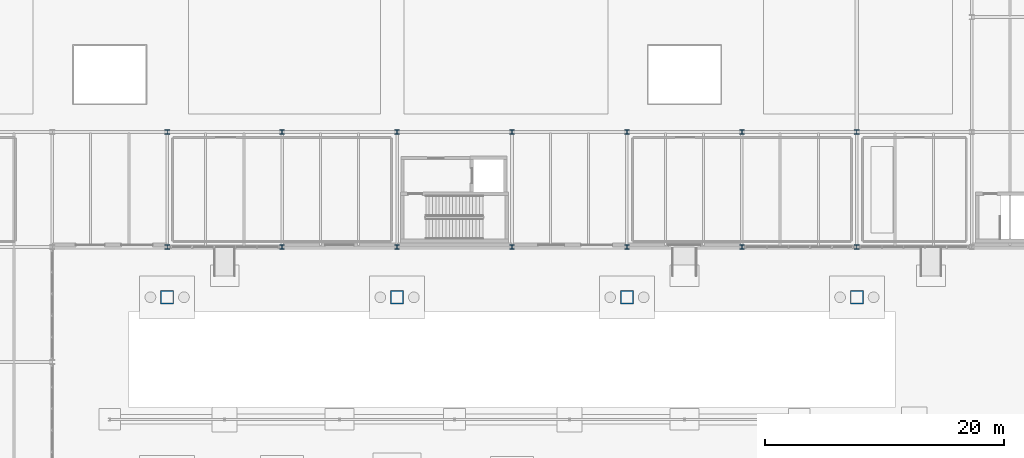
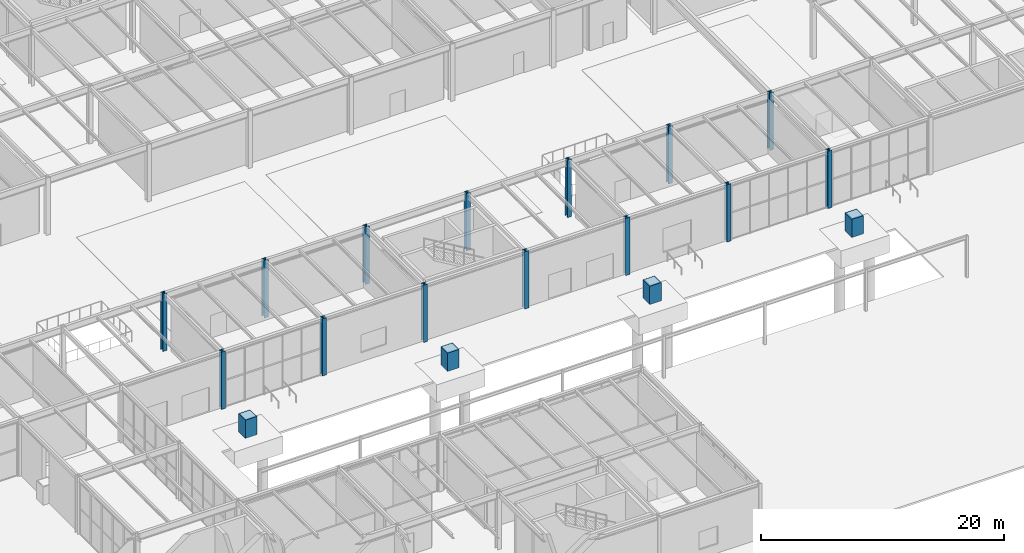
# One storey, part 14 of 142: 18 columns.
"""IFC4 building model written with IfcOpenShell, lengths in metres."""

from ifc_helpers import new_model, si_unit, direction, frame, origin, origin_2d, place, context, subcontext, project, spatial, rectangle, i_section, extrude, material, material_profile, profile_set, type_object, element, save


model = new_model("IFC4")

# Units and contexts
model_context = context("Model", 3, precision=1e-05, world=origin(), true_north=direction((0.0, 1.0)))
body_context = subcontext(model_context, "Body", "Model", "MODEL_VIEW")
ifc_project = project(units=[si_unit("LENGTHUNIT", "METRE"), si_unit("AREAUNIT", "SQUARE_METRE"), si_unit("VOLUMEUNIT", "CUBIC_METRE"), si_unit("PLANEANGLEUNIT", "RADIAN"), si_unit("MASSUNIT", "GRAM", prefix="KILO")], contexts=[model_context])

# Site, building, storey
site_placement = place(None, origin())
site = spatial("IfcSite", under=ifc_project, at=site_placement, CompositionType="ELEMENT")
building_placement = place(site_placement, origin())
building = spatial("IfcBuilding", under=site, at=building_placement, Name="Coralgate Yard Interchange", CompositionType="ELEMENT")
storey_placement = place(building_placement, origin())
storey = spatial("IfcBuildingStorey", under=building, at=storey_placement, Name="L00", CompositionType="ELEMENT", Elevation=0.0)

# Columns
ifc_material_1 = material(Name="Concrete C40/50", Category="concrete")
ifc_material_profile_1 = material_profile(ifc_material_1, rectangle(XDim=1.10009765625, YDim=1.10009765625, at=origin_2d()), Name="RC 1100x1100")
ifc_profile_set_1 = profile_set([ifc_material_profile_1], Name="Concrete C40/50")
column_type_1 = type_object("IfcColumnType", Name="COL-CC-1", PredefinedType="COLUMN", material=ifc_profile_set_1)
for number, where, z_axis, x_axis, name in (
    (1, (67.199951171875, 34.199951171875, -0.02001953125), (0.0, 0.0, 1.0), (1.0, 0.0, 0.0), "Arch AR-2 S concrete thrust pedestal"),
    (2, (86.39990234375, 34.199951171875, -0.02001953125), (0.0, 0.0, 1.0), (1.0, 0.0, 0.0), "Arch AR-3 S concrete thrust pedestal"),
    (3, (105.60009765625, 34.199951171875, -0.02001953125), (0.0, 0.0, 1.0), (1.0, 0.0, 0.0), "Arch AR-4 S concrete thrust pedestal"),
    (4, (124.800048828125, 34.199951171875, -0.02001953125), (0.0, 0.0, 1.0), (1.0, 0.0, 0.0), "Arch AR-5 S concrete thrust pedestal"),
):
    element("IfcColumn", number, at=place(storey_placement, frame(where, z_axis=z_axis, x_axis=x_axis)), inside=storey, type_object=column_type_1, Name=name, PredefinedType="COLUMN", context=body_context, shape_type="SweptSolid", body=[
        extrude(rectangle(XDim=1.10009765625, YDim=1.10009765625, at=origin_2d()), origin(), (0.0, 0.0, 1.0), 1.840087890625),
    ])
ifc_material_2 = material(Name="Structural steel S355J2", Category="steel")
ifc_material_profile_2 = material_profile(ifc_material_2, i_section(OverallWidth=0.39892578125, OverallDepth=0.3935546875, WebThickness=0.022705078125, FlangeThickness=0.03662109375, FilletRadius=0.01513671875, at=origin_2d()), Name="UC 356x406x287")
ifc_profile_set_2 = profile_set([ifc_material_profile_2], Name="Structural steel S355J2")
column_type_2 = type_object("IfcColumnType", Name="COL-SC-1", PredefinedType="COLUMN", material=ifc_profile_set_2)
for number, where, z_axis, x_axis, name in (
    (5, (67.199951171875, 38.39990234375, 0.0), (0.0, 0.0, 1.0), (1.0, 0.0, 0.0), "L00 structural column 7-4"),
    (6, (67.199951171875, 48.0, 0.0), (0.0, 0.0, 1.0), (1.0, 0.0, 0.0), "L00 structural column 7-5"),
    (7, (76.800048828125, 38.39990234375, 0.0), (0.0, 0.0, 1.0), (1.0, 0.0, 0.0), "L00 structural column 8-4"),
    (8, (76.800048828125, 48.0, 0.0), (0.0, 0.0, 1.0), (1.0, 0.0, 0.0), "L00 structural column 8-5"),
    (9, (86.39990234375, 38.39990234375, 0.0), (0.0, 0.0, 1.0), (1.0, 0.0, 0.0), "L00 structural column 9-4"),
    (10, (86.39990234375, 48.0, 0.0), (0.0, 0.0, 1.0), (1.0, 0.0, 0.0), "L00 structural column 9-5"),
    (11, (96.0, 38.39990234375, 0.0), (0.0, 0.0, 1.0), (1.0, 0.0, 0.0), "L00 structural column 10-4"),
    (12, (96.0, 48.0, 0.0), (0.0, 0.0, 1.0), (1.0, 0.0, 0.0), "L00 structural column 10-5"),
    (13, (105.60009765625, 38.39990234375, 0.0), (0.0, 0.0, 1.0), (1.0, 0.0, 0.0), "L00 structural column 11-4"),
    (14, (105.60009765625, 48.0, 0.0), (0.0, 0.0, 1.0), (1.0, 0.0, 0.0), "L00 structural column 11-5"),
    (15, (115.199951171875, 38.39990234375, 0.0), (0.0, 0.0, 1.0), (1.0, 0.0, 0.0), "L00 structural column 12-4"),
    (16, (115.199951171875, 48.0, 0.0), (0.0, 0.0, 1.0), (1.0, 0.0, 0.0), "L00 structural column 12-5"),
    (17, (124.800048828125, 38.39990234375, 0.0), (0.0, 0.0, 1.0), (1.0, 0.0, 0.0), "L00 structural column 13-4"),
    (18, (124.800048828125, 48.0, 0.0), (0.0, 0.0, 1.0), (1.0, 0.0, 0.0), "L00 structural column 13-5"),
):
    element("IfcColumn", number, at=place(storey_placement, frame(where, z_axis=z_axis, x_axis=x_axis)), inside=storey, type_object=column_type_2, Name=name, PredefinedType="COLUMN", context=body_context, shape_type="SweptSolid", body=[
        extrude(i_section(OverallWidth=0.39892578125, OverallDepth=0.3935546875, WebThickness=0.022705078125, FlangeThickness=0.03662109375, FilletRadius=0.01513671875, at=origin_2d()), origin(), (0.0, 0.0, 1.0), 5.75),
    ])

save(model, "model.ifc")
